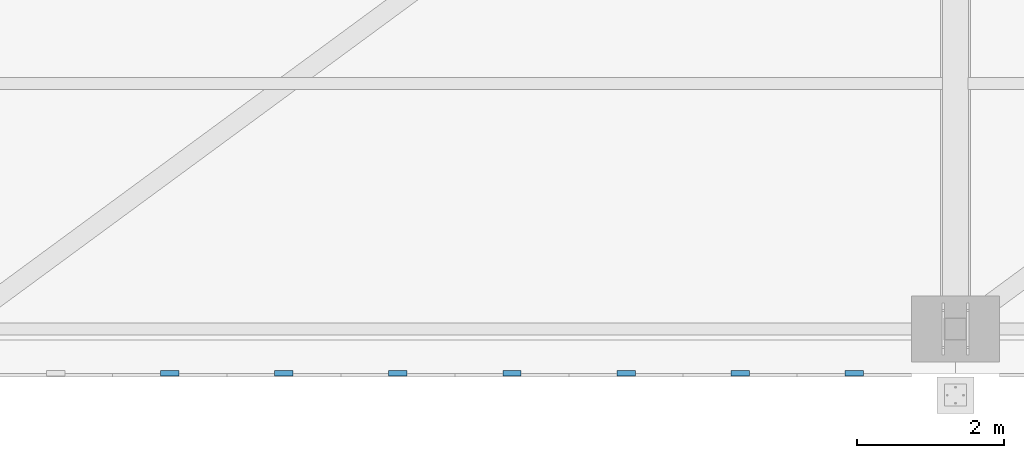
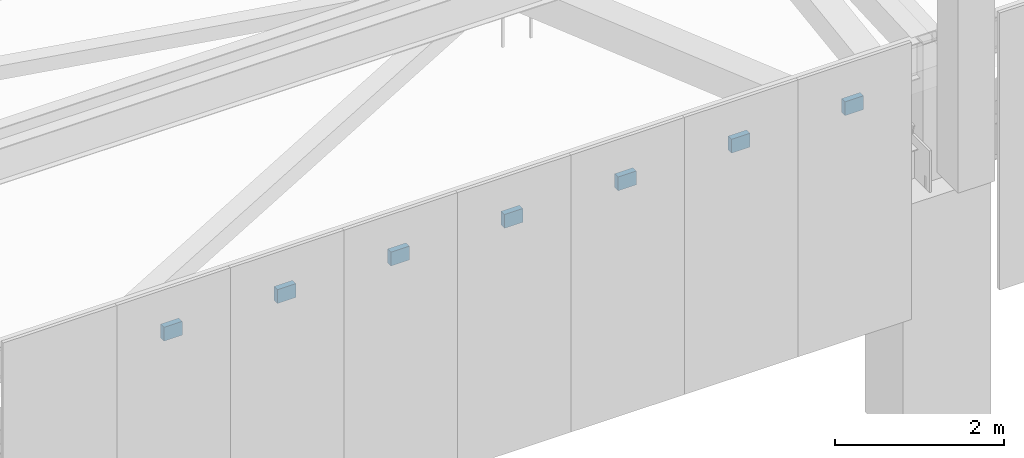
# One storey, part 120 of 278: 7 discrete accessories.
"""IFC4 building model written with IfcOpenShell, lengths in metres."""

from ifc_helpers import new_model, si_unit, direction, frame, origin, origin_2d, place, context, subcontext, project, spatial, rectangle, extrude, material, layer, layer_set, type_object, element, save


model = new_model("IFC4")

# Units and contexts
model_context = context("Model", 3, precision=1e-05, world=origin(), true_north=direction((0.0, 1.0)))
body_context = subcontext(model_context, "Body", "Model", "MODEL_VIEW")
ifc_project = project(units=[si_unit("LENGTHUNIT", "METRE"), si_unit("AREAUNIT", "SQUARE_METRE"), si_unit("VOLUMEUNIT", "CUBIC_METRE"), si_unit("PLANEANGLEUNIT", "RADIAN"), si_unit("MASSUNIT", "GRAM", prefix="KILO")], contexts=[model_context])

# Site, building, storey
site_placement = place(None, origin())
site = spatial("IfcSite", under=ifc_project, at=site_placement, CompositionType="ELEMENT")
building_placement = place(site_placement, origin())
building = spatial("IfcBuilding", under=site, at=building_placement, Name="Ogive Plaza Stadium", CompositionType="ELEMENT")
storey_placement = place(building_placement, frame((0.0, 0.0, 29.0)))
storey = spatial("IfcBuildingStorey", under=building, at=storey_placement, Name="Roof", CompositionType="ELEMENT", Elevation=29.0)

# Discrete accessories
ifc_material = material(Name="Steel ASTM A572 Grade 50", Category="steel")
ifc_layer = layer(ifc_material, 0.080078125)
ifc_layer_set = layer_set([ifc_layer], Name="Steel ASTM A572 Grade 50")
discrete_accessory_type = type_object("IfcDiscreteAccessoryType", Name="Tracery screen bracket 250x200", PredefinedType="BRACKET", material=ifc_layer_set)
for number, where, z_axis, x_axis, name in (
    (1, (-21.77490234375, -103.102294921875, 5.25), (0.0, 0.0, 1.0), (-1.0, 0.0, 0.0), "TRACERY SCREEN BRACKET B16 1"),
    (2, (-23.324951171875, -103.102294921875, 5.25), (0.0, 0.0, 1.0), (-1.0, 0.0, 0.0), "TRACERY SCREEN BRACKET B16 2"),
    (3, (-24.875, -103.102294921875, 5.25), (0.0, 0.0, 1.0), (-1.0, 0.0, 0.0), "TRACERY SCREEN BRACKET B16 3"),
    (4, (-26.425048828125, -103.102294921875, 5.25), (0.0, 0.0, 1.0), (-1.0, 0.0, 0.0), "TRACERY SCREEN BRACKET B16 4"),
    (5, (-27.97509765625, -103.102294921875, 5.25), (0.0, 0.0, 1.0), (-1.0, 0.0, 0.0), "TRACERY SCREEN BRACKET B16 5"),
    (6, (-29.52490234375, -103.102294921875, 5.25), (0.0, 0.0, 1.0), (-1.0, 0.0, 0.0), "TRACERY SCREEN BRACKET B16 6"),
    (7, (-31.074951171875, -103.102294921875, 5.25), (0.0, 0.0, 1.0), (-1.0, 0.0, 0.0), "TRACERY SCREEN BRACKET B16 7"),
):
    element("IfcDiscreteAccessory", number, at=place(storey_placement, frame(where, z_axis=z_axis, x_axis=x_axis)), inside=storey, type_object=discrete_accessory_type, Name=name, PredefinedType="BRACKET", context=body_context, shape_type="SweptSolid", body=[
        extrude(rectangle(XDim=0.25, YDim=0.080078125, at=origin_2d()), origin(), (0.0, 0.0, 1.0), 0.199951171875),
    ])

save(model, "model.ifc")
